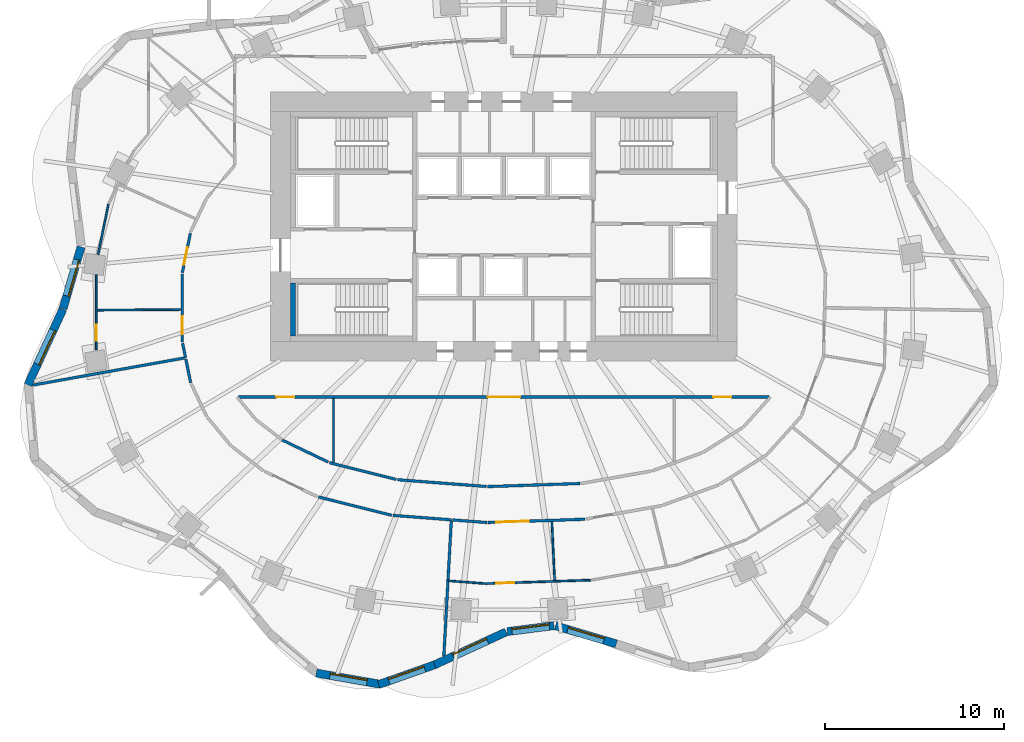
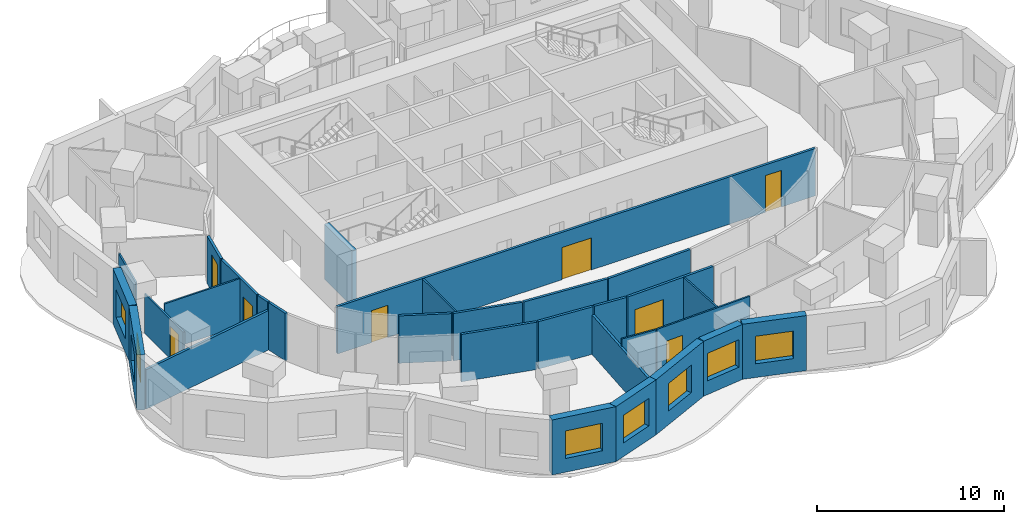
# One storey, part 5 of 11: 30 walls, 8 doors, 7 windows, 15 openings.
"""IFC4 building model written with IfcOpenShell, lengths in metres."""

from ifc_helpers import new_model, si_unit, direction, frame, frame_2d, origin, place, context, subcontext, project, spatial, rectangle, extrude, material, layer, layer_set, type_object, element, fill, save


model = new_model("IFC4")

# Units and contexts
model_context = context("Model", 3, precision=1e-05, world=origin(), true_north=direction((0.0, 1.0)))
body_context = subcontext(model_context, "Body", "Model", "MODEL_VIEW")
ifc_project = project(units=[si_unit("LENGTHUNIT", "METRE"), si_unit("AREAUNIT", "SQUARE_METRE"), si_unit("VOLUMEUNIT", "CUBIC_METRE"), si_unit("PLANEANGLEUNIT", "RADIAN"), si_unit("MASSUNIT", "GRAM", prefix="KILO")], contexts=[model_context])

# Site, building, storey
site_placement = place(None, origin())
site = spatial("IfcSite", under=ifc_project, at=site_placement, CompositionType="ELEMENT")
building_placement = place(site_placement, origin())
building = spatial("IfcBuilding", under=site, at=building_placement, Name="Rubra Terraces Tower", CompositionType="ELEMENT")
storey_placement = place(building_placement, frame((0.0, 0.0, 165.60009765625)))
storey = spatial("IfcBuildingStorey", under=building, at=storey_placement, Name="L40", CompositionType="ELEMENT", Elevation=165.60009765625)

# Wall, opening, window
ifc_material_1 = material(Name="Brick masonry red-brown", Category="masonry")
ifc_layer_1 = layer(ifc_material_1, 0.449951171875)
ifc_layer_set_1 = layer_set([ifc_layer_1], Name="Brick masonry red-brown")
wall_type_1 = type_object("IfcWallType", Name="Brick facade wall 450", PredefinedType="SOLIDWALL", material=ifc_layer_set_1)
wall_1_placement = place(storey_placement, frame((-23.565185546875, 3.363525390625, 0.0), z_axis=(0.0, 0.0, 1.0), x_axis=(-0.279148198653, -0.960248032119, 0.0)))
wall_1 = element("IfcWall", 1, at=wall_1_placement, inside=storey, type_object=wall_type_1, Name="Facade wall L40 bay 20", PredefinedType="SOLIDWALL", context=body_context, shape_type="SweptSolid", body=[
    extrude(rectangle(XDim=3.58837890625, YDim=0.449951171875, at=frame_2d((1.794189453125, 0.0))), origin(), (0.0, 0.0, 1.0), 3.599853515625),
])
opening_1_placement = place(wall_1_placement, frame((0.744140625, 0.0, 0.89990234375)))
opening_1 = element("IfcOpeningElement", 2, at=opening_1_placement, cuts=wall_1, Name="Opening W1Z", PredefinedType="OPENING", context=body_context, shape_type="SweptSolid", body=[
    extrude(rectangle(XDim=2.10009765625, YDim=1.800048828125, at=frame_2d((1.050048828125, 0.89990234375))), frame((0.0, 0.23486328125, 0.0), z_axis=(0.0, -1.0, 0.0), x_axis=(1.0, 0.0, 0.0)), (0.0, 0.0, 1.0), 0.469970703125),
])
ifc_material_2 = material(Name="Clear glass in aluminium frame", Category="aluminium")
window_type = type_object("IfcWindowType", Name="Fixed deep-set window under transfer level 2100 x 1800", PartitioningType="SINGLE_PANEL", PredefinedType="WINDOW", material=ifc_material_2)
window_1_placement = place(opening_1_placement, origin())
window_1 = element("IfcWindow", 3, at=window_1_placement, inside=storey, type_object=window_type, Name="Window L40 bay 20", OverallHeight=1.800048828125, OverallWidth=2.10009765625, PartitioningType="SINGLE_PANEL", PredefinedType="WINDOW", context=body_context, shape_type="SweptSolid", body=[
    extrude(rectangle(XDim=2.10009765625, YDim=1.800048828125, at=frame_2d((1.050048828125, 0.89990234375))), frame((0.0, 0.135009765625, 0.0), z_axis=(0.0, -1.0, 0.0), x_axis=(1.0, 0.0, 0.0)), (0.0, 0.0, 1.0), 0.06005859375),
])
fill(opening_1, window_1)

wall_2_placement = place(storey_placement, frame((-24.57861328125, -0.115478515625, 0.0), z_axis=(0.0, 0.0, 1.0), x_axis=(-0.419535648317, -0.907738861012, 0.0)))
wall_2 = element("IfcWall", 4, at=wall_2_placement, inside=storey, type_object=wall_type_1, Name="Facade wall L40 bay 21", PredefinedType="SOLIDWALL", context=body_context, shape_type="SweptSolid", body=[
    extrude(rectangle(XDim=4.63623046875, YDim=0.449951171875, at=frame_2d((2.318115234375, 0.0))), origin(), (0.0, 0.0, 1.0), 3.599853515625),
])
opening_2_placement = place(wall_2_placement, frame((1.26806640625, 0.0, 0.89990234375)))
opening_2 = element("IfcOpeningElement", 5, at=opening_2_placement, cuts=wall_2, Name="Opening W1Z", PredefinedType="OPENING", context=body_context, shape_type="SweptSolid", body=[
    extrude(rectangle(XDim=2.10009765625, YDim=1.800048828125, at=frame_2d((1.050048828125, 0.89990234375))), frame((0.0, 0.23486328125, 0.0), z_axis=(0.0, -1.0, 0.0), x_axis=(1.0, 0.0, 0.0)), (0.0, 0.0, 1.0), 0.469970703125),
])
window_2_placement = place(opening_2_placement, origin())
window_2 = element("IfcWindow", 6, at=window_2_placement, inside=storey, type_object=window_type, Name="Window L40 bay 21", OverallHeight=1.800048828125, OverallWidth=2.10009765625, PartitioningType="SINGLE_PANEL", PredefinedType="WINDOW", context=body_context, shape_type="SweptSolid", body=[
    extrude(rectangle(XDim=2.10009765625, YDim=1.800048828125, at=frame_2d((1.050048828125, 0.89990234375))), frame((0.0, 0.135009765625, 0.0), z_axis=(0.0, -1.0, 0.0), x_axis=(1.0, 0.0, 0.0)), (0.0, 0.0, 1.0), 0.06005859375),
])
fill(opening_2, window_2)

wall_3_placement = place(storey_placement, frame((-10.459228515625, -20.38134765625, 0.0), z_axis=(0.0, 0.0, 1.0), x_axis=(0.985017416972, -0.172454887614, 0.0)))
wall_3 = element("IfcWall", 7, at=wall_3_placement, inside=storey, type_object=wall_type_1, Name="Facade wall L40 bay 28", PredefinedType="SOLIDWALL", context=body_context, shape_type="SweptSolid", body=[
    extrude(rectangle(XDim=3.65380859375, YDim=0.449951171875, at=frame_2d((1.826904296875, 0.0))), origin(), (0.0, 0.0, 1.0), 3.599853515625),
])
opening_3_placement = place(wall_3_placement, frame((0.77685546875, 0.0, 0.89990234375)))
opening_3 = element("IfcOpeningElement", 8, at=opening_3_placement, cuts=wall_3, Name="Opening W1Z", PredefinedType="OPENING", context=body_context, shape_type="SweptSolid", body=[
    extrude(rectangle(XDim=2.10009765625, YDim=1.800048828125, at=frame_2d((1.050048828125, 0.89990234375))), frame((0.0, 0.23486328125, 0.0), z_axis=(0.0, -1.0, 0.0), x_axis=(1.0, 0.0, 0.0)), (0.0, 0.0, 1.0), 0.469970703125),
])
window_3_placement = place(opening_3_placement, origin())
window_3 = element("IfcWindow", 9, at=window_3_placement, inside=storey, type_object=window_type, Name="Window L40 bay 28", OverallHeight=1.800048828125, OverallWidth=2.10009765625, PartitioningType="SINGLE_PANEL", PredefinedType="WINDOW", context=body_context, shape_type="SweptSolid", body=[
    extrude(rectangle(XDim=2.10009765625, YDim=1.800048828125, at=frame_2d((1.050048828125, 0.89990234375))), frame((0.0, 0.135009765625, 0.0), z_axis=(0.0, -1.0, 0.0), x_axis=(1.0, 0.0, 0.0)), (0.0, 0.0, 1.0), 0.06005859375),
])
fill(opening_3, window_3)

wall_4_placement = place(storey_placement, frame((-6.973876953125, -21.020751953125, 0.0), z_axis=(0.0, 0.0, 1.0), x_axis=(0.94304763908, 0.3326577076, 0.0)))
wall_4 = element("IfcWall", 10, at=wall_4_placement, inside=storey, type_object=wall_type_1, Name="Facade wall L40 bay 29", PredefinedType="SOLIDWALL", context=body_context, shape_type="SweptSolid", body=[
    extrude(rectangle(XDim=3.302490234375, YDim=0.449951171875, at=frame_2d((1.6513671875, 0.0))), origin(), (0.0, 0.0, 1.0), 3.599853515625),
])
opening_4_placement = place(wall_4_placement, frame((0.601318359375, 0.0, 0.89990234375)))
opening_4 = element("IfcOpeningElement", 11, at=opening_4_placement, cuts=wall_4, Name="Opening W1Z", PredefinedType="OPENING", context=body_context, shape_type="SweptSolid", body=[
    extrude(rectangle(XDim=2.10009765625, YDim=1.800048828125, at=frame_2d((1.050048828125, 0.89990234375))), frame((0.0, 0.23486328125, 0.0), z_axis=(0.0, -1.0, 0.0), x_axis=(1.0, 0.0, 0.0)), (0.0, 0.0, 1.0), 0.469970703125),
])
window_4_placement = place(opening_4_placement, origin())
window_4 = element("IfcWindow", 12, at=window_4_placement, inside=storey, type_object=window_type, Name="Window L40 bay 29", OverallHeight=1.800048828125, OverallWidth=2.10009765625, PartitioningType="SINGLE_PANEL", PredefinedType="WINDOW", context=body_context, shape_type="SweptSolid", body=[
    extrude(rectangle(XDim=2.10009765625, YDim=1.800048828125, at=frame_2d((1.050048828125, 0.89990234375))), frame((0.0, 0.135009765625, 0.0), z_axis=(0.0, -1.0, 0.0), x_axis=(1.0, 0.0, 0.0)), (0.0, 0.0, 1.0), 0.06005859375),
])
fill(opening_4, window_4)

wall_5_placement = place(storey_placement, frame((-3.87841796875, -19.929931640625, 0.0), z_axis=(0.0, 0.0, 1.0), x_axis=(0.908679684485, 0.417493989183, 0.0)))
wall_5 = element("IfcWall", 13, at=wall_5_placement, inside=storey, type_object=wall_type_1, Name="Facade wall L40 bay 30", PredefinedType="SOLIDWALL", context=body_context, shape_type="SweptSolid", body=[
    extrude(rectangle(XDim=4.40625, YDim=0.449951171875, at=frame_2d((2.203125, 0.0))), origin(), (0.0, 0.0, 1.0), 3.599853515625),
])
opening_5_placement = place(wall_5_placement, frame((1.1533203125, 0.0, 0.89990234375)))
opening_5 = element("IfcOpeningElement", 14, at=opening_5_placement, cuts=wall_5, Name="Opening W1Z", PredefinedType="OPENING", context=body_context, shape_type="SweptSolid", body=[
    extrude(rectangle(XDim=2.10009765625, YDim=1.800048828125, at=frame_2d((1.050048828125, 0.89990234375))), frame((0.0, 0.23486328125, 0.0), z_axis=(0.0, -1.0, 0.0), x_axis=(1.0, 0.0, 0.0)), (0.0, 0.0, 1.0), 0.469970703125),
])
window_5_placement = place(opening_5_placement, origin())
window_5 = element("IfcWindow", 15, at=window_5_placement, inside=storey, type_object=window_type, Name="Window L40 bay 30", OverallHeight=1.800048828125, OverallWidth=2.10009765625, PartitioningType="SINGLE_PANEL", PredefinedType="WINDOW", context=body_context, shape_type="SweptSolid", body=[
    extrude(rectangle(XDim=2.10009765625, YDim=1.800048828125, at=frame_2d((1.050048828125, 0.89990234375))), frame((0.0, 0.135009765625, 0.0), z_axis=(0.0, -1.0, 0.0), x_axis=(1.0, 0.0, 0.0)), (0.0, 0.0, 1.0), 0.06005859375),
])
fill(opening_5, window_5)

wall_6_placement = place(storey_placement, frame((0.191162109375, -18.07177734375, 0.0), z_axis=(0.0, 0.0, 1.0), x_axis=(0.992071255417, 0.125676665198, 0.0)))
wall_6 = element("IfcWall", 16, at=wall_6_placement, inside=storey, type_object=wall_type_1, Name="Facade wall L40 bay 31", PredefinedType="SOLIDWALL", context=body_context, shape_type="SweptSolid", body=[
    extrude(rectangle(XDim=2.61669921875, YDim=0.449951171875, at=frame_2d((1.308349609375, 0.0))), origin(), (0.0, 0.0, 1.0), 3.599853515625),
])
opening_6_placement = place(wall_6_placement, frame((0.25830078125, 0.0, 0.89990234375)))
opening_6 = element("IfcOpeningElement", 17, at=opening_6_placement, cuts=wall_6, Name="Opening W1Z", PredefinedType="OPENING", context=body_context, shape_type="SweptSolid", body=[
    extrude(rectangle(XDim=2.10009765625, YDim=1.800048828125, at=frame_2d((1.050048828125, 0.89990234375))), frame((0.0, 0.23486328125, 0.0), z_axis=(0.0, -1.0, 0.0), x_axis=(1.0, 0.0, 0.0)), (0.0, 0.0, 1.0), 0.469970703125),
])
window_6_placement = place(opening_6_placement, origin())
window_6 = element("IfcWindow", 18, at=window_6_placement, inside=storey, type_object=window_type, Name="Window L40 bay 31", OverallHeight=1.800048828125, OverallWidth=2.10009765625, PartitioningType="SINGLE_PANEL", PredefinedType="WINDOW", context=body_context, shape_type="SweptSolid", body=[
    extrude(rectangle(XDim=2.10009765625, YDim=1.800048828125, at=frame_2d((1.050048828125, 0.89990234375))), frame((0.0, 0.135009765625, 0.0), z_axis=(0.0, -1.0, 0.0), x_axis=(1.0, 0.0, 0.0)), (0.0, 0.0, 1.0), 0.06005859375),
])
fill(opening_6, window_6)

wall_7_placement = place(storey_placement, frame((2.876220703125, -17.74951171875, 0.0), z_axis=(0.0, 0.0, 1.0), x_axis=(0.958397358603, -0.28543738897, 0.0)))
wall_7 = element("IfcWall", 19, at=wall_7_placement, inside=storey, type_object=wall_type_1, Name="Facade wall L40 bay 32", PredefinedType="SOLIDWALL", context=body_context, shape_type="SweptSolid", body=[
    extrude(rectangle(XDim=3.530029296875, YDim=0.449951171875, at=frame_2d((1.76513671875, 0.0))), origin(), (0.0, 0.0, 1.0), 3.599853515625),
])
opening_7_placement = place(wall_7_placement, frame((0.715087890625, 0.0, 0.89990234375)))
opening_7 = element("IfcOpeningElement", 20, at=opening_7_placement, cuts=wall_7, Name="Opening W1Z", PredefinedType="OPENING", context=body_context, shape_type="SweptSolid", body=[
    extrude(rectangle(XDim=2.10009765625, YDim=1.800048828125, at=frame_2d((1.050048828125, 0.89990234375))), frame((0.0, 0.23486328125, 0.0), z_axis=(0.0, -1.0, 0.0), x_axis=(1.0, 0.0, 0.0)), (0.0, 0.0, 1.0), 0.469970703125),
])
window_7_placement = place(opening_7_placement, origin())
window_7 = element("IfcWindow", 21, at=window_7_placement, inside=storey, type_object=window_type, Name="Window L40 bay 32", OverallHeight=1.800048828125, OverallWidth=2.10009765625, PartitioningType="SINGLE_PANEL", PredefinedType="WINDOW", context=body_context, shape_type="SweptSolid", body=[
    extrude(rectangle(XDim=2.10009765625, YDim=1.800048828125, at=frame_2d((1.050048828125, 0.89990234375))), frame((0.0, 0.135009765625, 0.0), z_axis=(0.0, -1.0, 0.0), x_axis=(1.0, 0.0, 0.0)), (0.0, 0.0, 1.0), 0.06005859375),
])
fill(opening_7, window_7)

# Wall, opening, door
ifc_material_3 = material(Name="Plasterboard on steel stud, mineral wool infill", Category="steel")
ifc_layer_2 = layer(ifc_material_3, 0.14990234375)
ifc_layer_set_2 = layer_set([ifc_layer_2], Name="Plasterboard on steel stud, mineral wool infill")
wall_type_2 = type_object("IfcWallType", Name="CORRIDOR PARTITION 150", PredefinedType="PARTITIONING", material=ifc_layer_set_2)
wall_8_placement = place(storey_placement, frame((-17.472412109375, 4.1279296875, 0.0), z_axis=(0.0, 0.0, 1.0), x_axis=(-0.199502025364, -0.979897413955, 0.0)))
wall_8 = element("IfcWall", 22, at=wall_8_placement, inside=storey, type_object=wall_type_2, Name="PARTITION", PredefinedType="PARTITIONING", context=body_context, shape_type="SweptSolid", body=[
    extrude(rectangle(XDim=2.24560546875, YDim=0.14990234375, at=frame_2d((1.122802734375, 0.0))), origin(), (0.0, 0.0, 1.0), 3.097900390625),
])
opening_8_placement = place(wall_8_placement, frame((0.800048828125, 0.0, 0.0)))
opening_8 = element("IfcOpeningElement", 23, at=opening_8_placement, cuts=wall_8, Name="Opening 40-107", PredefinedType="OPENING", context=body_context, shape_type="SweptSolid", body=[
    extrude(rectangle(XDim=1.0, YDim=2.39990234375, at=frame_2d((0.5, 1.199951171875))), frame((0.0, 0.0849609375, 0.0), z_axis=(0.0, -1.0, 0.0), x_axis=(1.0, 0.0, 0.0)), (0.0, 0.0, 1.0), 0.169921875),
])
ifc_material_4 = material(Name="Glazed aluminium meeting door leaf", Category="aluminium")
door_type_1 = type_object("IfcDoorType", Name="MEETING ROOM GLAZED DOOR 1000 X 2400", OperationType="SINGLE_SWING_LEFT", PredefinedType="DOOR", material=ifc_material_4)
door_1_placement = place(opening_8_placement, origin())
door_1 = element("IfcDoor", 24, at=door_1_placement, inside=storey, type_object=door_type_1, Name="DOOR 40-107", OperationType="SINGLE_SWING_RIGHT", OverallHeight=2.39990234375, OverallWidth=1.0, PredefinedType="DOOR", context=body_context, shape_type="SweptSolid", body=[
    extrude(rectangle(XDim=1.0, YDim=2.39990234375, at=frame_2d((0.5, 1.199951171875))), frame((0.0, 0.02490234375, 0.0), z_axis=(0.0, -1.0, 0.0), x_axis=(1.0, 0.0, 0.0)), (0.0, 0.0, 1.0), 0.050048828125),
])
fill(opening_8, door_1)

wall_9_placement = place(storey_placement, frame((-17.92041015625, 1.8525390625, 0.0), z_axis=(0.0, 0.0, 1.0), x_axis=(0.0, -1.0, 0.0)))
wall_9 = element("IfcWall", 25, at=wall_9_placement, inside=storey, type_object=wall_type_2, Name="PARTITION", PredefinedType="PARTITIONING", context=body_context, shape_type="SweptSolid", body=[
    extrude(rectangle(XDim=3.780029296875, YDim=0.14990234375, at=frame_2d((1.89013671875, 0.0))), origin(), (0.0, 0.0, 1.0), 3.097900390625),
])
opening_9_placement = place(wall_9_placement, frame((2.35009765625, 0.0, 0.0)))
opening_9 = element("IfcOpeningElement", 26, at=opening_9_placement, cuts=wall_9, Name="Opening 40-123", PredefinedType="OPENING", context=body_context, shape_type="SweptSolid", body=[
    extrude(rectangle(XDim=1.0, YDim=2.10009765625, at=frame_2d((0.5, 1.050048828125))), frame((0.0, 0.0849609375, 0.0), z_axis=(0.0, -1.0, 0.0), x_axis=(1.0, 0.0, 0.0)), (0.0, 0.0, 1.0), 0.169921875),
])
ifc_material_5 = material(Name="Painted timber door leaf", Category="wood")
door_type_2 = type_object("IfcDoorType", Name="ROOM DOOR 1000 X 2100", OperationType="SINGLE_SWING_LEFT", PredefinedType="DOOR", material=ifc_material_5)
door_2_placement = place(opening_9_placement, origin())
door_2 = element("IfcDoor", 27, at=door_2_placement, inside=storey, type_object=door_type_2, Name="DOOR 40-123", OperationType="SINGLE_SWING_RIGHT", OverallHeight=2.10009765625, OverallWidth=1.0, PredefinedType="DOOR", context=body_context, shape_type="SweptSolid", body=[
    extrude(rectangle(XDim=1.0, YDim=2.10009765625, at=frame_2d((0.5, 1.050048828125))), frame((0.0, 0.02490234375, 0.0), z_axis=(0.0, -1.0, 0.0), x_axis=(1.0, 0.0, 0.0)), (0.0, 0.0, 1.0), 0.050048828125),
])
fill(opening_9, door_2)

# Walls
wall_10_placement = place(storey_placement, frame((-17.905517578125, -2.0009765625, 0.0), z_axis=(0.0, 0.0, 1.0), x_axis=(0.199625422988, -0.979872282748, 0.0)))
element("IfcWall", 28, at=wall_10_placement, inside=storey, type_object=wall_type_2, Name="PARTITION", PredefinedType="PARTITIONING", context=body_context, shape_type="SweptSolid", body=[
    extrude(rectangle(XDim=0.8291015625, YDim=0.14990234375, at=frame_2d((0.41455078125, 0.0))), origin(), (0.0, 0.0, 1.0), 3.097900390625),
])
wall_11_placement = place(storey_placement, frame((-17.72509765625, -2.886962890625, 0.0), z_axis=(0.0, 0.0, 1.0), x_axis=(0.199475034903, -0.979902908686, 0.0)))
element("IfcWall", 29, at=wall_11_placement, inside=storey, type_object=wall_type_2, Name="PARTITION", PredefinedType="PARTITIONING", context=body_context, shape_type="SweptSolid", body=[
    extrude(rectangle(XDim=1.34130859375, YDim=0.14990234375, at=frame_2d((0.670654296875, 0.0))), origin(), (0.0, 0.0, 1.0), 3.097900390625),
])
wall_12_placement = place(storey_placement, frame((-10.332763671875, -10.568603515625, 0.0), z_axis=(0.0, 0.0, 1.0), x_axis=(0.970067398009, -0.242835836151, 0.0)))
element("IfcWall", 30, at=wall_12_placement, inside=storey, type_object=wall_type_2, Name="PARTITION", PredefinedType="PARTITIONING", context=body_context, shape_type="SweptSolid", body=[
    extrude(rectangle(XDim=4.20947265625, YDim=0.14990234375, at=frame_2d((2.104736328125, 0.0))), origin(), (0.0, 0.0, 1.0), 3.097900390625),
])
wall_13_placement = place(storey_placement, frame((-6.174560546875, -11.596435546875, 0.0), z_axis=(0.0, 0.0, 1.0), x_axis=(0.997097132815, -0.076140053401, 0.0)))
element("IfcWall", 31, at=wall_13_placement, inside=storey, type_object=wall_type_2, Name="PARTITION", PredefinedType="PARTITIONING", context=body_context, shape_type="SweptSolid", body=[
    extrude(rectangle(XDim=3.254638671875, YDim=0.14990234375, at=frame_2d((1.62744140625, 0.0))), origin(), (0.0, 0.0, 1.0), 3.097900390625),
])
wall_14_placement = place(storey_placement, frame((-2.854736328125, -11.849853515625, 0.0), z_axis=(0.0, 0.0, 1.0), x_axis=(0.997093457628, -0.076188166762, 0.0)))
element("IfcWall", 32, at=wall_14_placement, inside=storey, type_object=wall_type_2, Name="PARTITION", PredefinedType="PARTITIONING", context=body_context, shape_type="SweptSolid", body=[
    extrude(rectangle(XDim=1.909912109375, YDim=0.14990234375, at=frame_2d((0.955078125, 0.0))), origin(), (0.0, 0.0, 1.0), 3.097900390625),
])

# Wall, opening, door
wall_15_placement = place(storey_placement, frame((-0.87548828125, -11.992919921875, 0.0), z_axis=(0.0, 0.0, 1.0), x_axis=(0.999436745295, 0.033558786542, 0.0)))
wall_15 = element("IfcWall", 33, at=wall_15_placement, inside=storey, type_object=wall_type_2, Name="PARTITION", PredefinedType="PARTITIONING", context=body_context, shape_type="SweptSolid", body=[
    extrude(rectangle(XDim=5.39794921875, YDim=0.14990234375, at=frame_2d((2.698974609375, 0.0))), origin(), (0.0, 0.0, 1.0), 3.097900390625),
])
opening_10_placement = place(wall_15_placement, frame((0.449951171875, 0.0, 0.0)))
opening_10 = element("IfcOpeningElement", 34, at=opening_10_placement, cuts=wall_15, Name="Opening 40-110", PredefinedType="OPENING", context=body_context, shape_type="SweptSolid", body=[
    extrude(rectangle(XDim=1.800048828125, YDim=2.10009765625, at=frame_2d((0.89990234375, 1.050048828125))), frame((0.0, 0.0849609375, 0.0), z_axis=(0.0, -1.0, 0.0), x_axis=(1.0, 0.0, 0.0)), (0.0, 0.0, 1.0), 0.169921875),
])
ifc_material_6 = material(Name="Painted timber door leaf, double", Category="wood")
door_type_3 = type_object("IfcDoorType", Name="ROOM DOUBLE DOOR 1800 X 2100", OperationType="DOUBLE_DOOR_SINGLE_SWING", PredefinedType="DOOR", material=ifc_material_6)
door_3_placement = place(opening_10_placement, origin())
door_3 = element("IfcDoor", 35, at=door_3_placement, inside=storey, type_object=door_type_3, Name="DOOR 40-110", OperationType="DOUBLE_DOOR_SINGLE_SWING", OverallHeight=2.10009765625, OverallWidth=1.800048828125, PredefinedType="DOOR", context=body_context, shape_type="SweptSolid", body=[
    extrude(rectangle(XDim=1.800048828125, YDim=2.10009765625, at=frame_2d((0.89990234375, 1.050048828125))), frame((0.0, 0.02490234375, 0.0), z_axis=(0.0, -1.0, 0.0), x_axis=(1.0, 0.0, 0.0)), (0.0, 0.0, 1.0), 0.050048828125),
])
fill(opening_10, door_3)

# Walls
wall_16_placement = place(storey_placement, frame((4.235595703125, -9.820068359375, 0.0), z_axis=(0.0, 0.0, 1.0), x_axis=(-0.999435760561, -0.033588100749, 0.0)))
element("IfcWall", 36, at=wall_16_placement, inside=storey, type_object=wall_type_2, Name="PARTITION", PredefinedType="PARTITIONING", context=body_context, shape_type="SweptSolid", body=[
    extrude(rectangle(XDim=5.146240234375, YDim=0.14990234375, at=frame_2d((2.5732421875, 0.0))), origin(), (0.0, 0.0, 1.0), 3.097900390625),
])
wall_17_placement = place(storey_placement, frame((-0.982421875, -9.987060546875, 0.0), z_axis=(0.0, 0.0, 1.0), x_axis=(-0.997096607341, 0.07614693447, 0.0)))
element("IfcWall", 37, at=wall_17_placement, inside=storey, type_object=wall_type_2, Name="PARTITION", PredefinedType="PARTITIONING", context=body_context, shape_type="SweptSolid", body=[
    extrude(rectangle(XDim=4.9599609375, YDim=0.14990234375, at=frame_2d((2.47998046875, 0.0))), origin(), (0.0, 0.0, 1.0), 3.097900390625),
])
wall_18_placement = place(storey_placement, frame((-6.000732421875, -9.59130859375, 0.0), z_axis=(0.0, 0.0, 1.0), x_axis=(-0.970063855769, 0.242849986061, 0.0)))
element("IfcWall", 38, at=wall_18_placement, inside=storey, type_object=wall_type_2, Name="PARTITION", PredefinedType="PARTITIONING", context=body_context, shape_type="SweptSolid", body=[
    extrude(rectangle(XDim=3.83740234375, YDim=0.14990234375, at=frame_2d((1.918701171875, 0.0))), origin(), (0.0, 0.0, 1.0), 3.097900390625),
])
wall_19_placement = place(storey_placement, frame((-9.790771484375, -8.626953125, 0.0), z_axis=(0.0, 0.0, 1.0), x_axis=(-0.901598165215, 0.432574558292, 0.0)))
element("IfcWall", 39, at=wall_19_placement, inside=storey, type_object=wall_type_2, Name="PARTITION", PredefinedType="PARTITIONING", context=body_context, shape_type="SweptSolid", body=[
    extrude(rectangle(XDim=2.840087890625, YDim=0.14990234375, at=frame_2d((1.419921875, 0.0))), origin(), (0.0, 0.0, 1.0), 3.097900390625),
])

# Wall, openings, doors
wall_20_placement = place(storey_placement, frame((-14.7890625, -5.0, 0.0), z_axis=(0.0, 0.0, 1.0), x_axis=(1.0, 0.0, 0.0)))
wall_20 = element("IfcWall", 40, at=wall_20_placement, inside=storey, type_object=wall_type_2, Name="PARTITION", PredefinedType="PARTITIONING", context=body_context, shape_type="SweptSolid", body=[
    extrude(rectangle(XDim=29.56201171875, YDim=0.14990234375, at=frame_2d((14.781005859375, 0.0))), origin(), (0.0, 0.0, 1.0), 3.097900390625),
])
opening_11_placement = place(wall_20_placement, frame((2.10693359375, 0.0, 0.0)))
opening_11 = element("IfcOpeningElement", 41, at=opening_11_placement, cuts=wall_20, Name="Opening 40-118", PredefinedType="OPENING", context=body_context, shape_type="SweptSolid", body=[
    extrude(rectangle(XDim=1.0, YDim=2.10009765625, at=frame_2d((0.5, 1.050048828125))), frame((0.0, 0.0849609375, 0.0), z_axis=(0.0, -1.0, 0.0), x_axis=(1.0, 0.0, 0.0)), (0.0, 0.0, 1.0), 0.169921875),
])
opening_12_placement = place(wall_20_placement, frame((13.888916015625, 0.0, 0.0)))
opening_12 = element("IfcOpeningElement", 42, at=opening_12_placement, cuts=wall_20, Name="Opening 40-119", PredefinedType="OPENING", context=body_context, shape_type="SweptSolid", body=[
    extrude(rectangle(XDim=1.800048828125, YDim=2.10009765625, at=frame_2d((0.89990234375, 1.050048828125))), frame((0.0, 0.0849609375, 0.0), z_axis=(0.0, -1.0, 0.0), x_axis=(1.0, 0.0, 0.0)), (0.0, 0.0, 1.0), 0.169921875),
])
opening_13_placement = place(wall_20_placement, frame((26.462890625, 0.0, 0.0)))
opening_13 = element("IfcOpeningElement", 43, at=opening_13_placement, cuts=wall_20, Name="Opening 40-120", PredefinedType="OPENING", context=body_context, shape_type="SweptSolid", body=[
    extrude(rectangle(XDim=1.0, YDim=2.39990234375, at=frame_2d((0.5, 1.199951171875))), frame((0.0, 0.0849609375, 0.0), z_axis=(0.0, -1.0, 0.0), x_axis=(1.0, 0.0, 0.0)), (0.0, 0.0, 1.0), 0.169921875),
])
door_4_placement = place(opening_13_placement, origin())
door_4 = element("IfcDoor", 44, at=door_4_placement, inside=storey, type_object=door_type_1, Name="DOOR 40-120", OperationType="SINGLE_SWING_RIGHT", OverallHeight=2.39990234375, OverallWidth=1.0, PredefinedType="DOOR", context=body_context, shape_type="SweptSolid", body=[
    extrude(rectangle(XDim=1.0, YDim=2.39990234375, at=frame_2d((0.5, 1.199951171875))), frame((0.0, 0.02490234375, 0.0), z_axis=(0.0, -1.0, 0.0), x_axis=(1.0, 0.0, 0.0)), (0.0, 0.0, 1.0), 0.050048828125),
])
fill(opening_13, door_4)
door_5_placement = place(opening_11_placement, origin())
door_5 = element("IfcDoor", 45, at=door_5_placement, inside=storey, type_object=door_type_2, Name="DOOR 40-118", OperationType="SINGLE_SWING_RIGHT", OverallHeight=2.10009765625, OverallWidth=1.0, PredefinedType="DOOR", context=body_context, shape_type="SweptSolid", body=[
    extrude(rectangle(XDim=1.0, YDim=2.10009765625, at=frame_2d((0.5, 1.050048828125))), frame((0.0, 0.02490234375, 0.0), z_axis=(0.0, -1.0, 0.0), x_axis=(1.0, 0.0, 0.0)), (0.0, 0.0, 1.0), 0.050048828125),
])
fill(opening_11, door_5)
door_6_placement = place(opening_12_placement, origin())
door_6 = element("IfcDoor", 46, at=door_6_placement, inside=storey, type_object=door_type_3, Name="DOOR 40-119", OperationType="DOUBLE_DOOR_SINGLE_SWING", OverallHeight=2.10009765625, OverallWidth=1.800048828125, PredefinedType="DOOR", context=body_context, shape_type="SweptSolid", body=[
    extrude(rectangle(XDim=1.800048828125, YDim=2.10009765625, at=frame_2d((0.89990234375, 1.050048828125))), frame((0.0, 0.02490234375, 0.0), z_axis=(0.0, -1.0, 0.0), x_axis=(1.0, 0.0, 0.0)), (0.0, 0.0, 1.0), 0.050048828125),
])
fill(opening_12, door_6)

# Walls
ifc_material_7 = material(Name="Concrete C40", Category="concrete")
ifc_layer_3 = layer(ifc_material_7, 0.300048828125)
ifc_layer_set_3 = layer_set([ifc_layer_3], Name="Concrete C40")
wall_type_3 = type_object("IfcWallType", Name="Core lining wall 300 concrete", PredefinedType="SOLIDWALL", material=ifc_layer_set_3)
wall_21_placement = place(storey_placement, frame((-11.75, -1.60009765625, 0.0), z_axis=(0.0, 0.0, 1.0), x_axis=(0.0, 1.0, 0.0)))
element("IfcWall", 47, at=wall_21_placement, inside=storey, type_object=wall_type_3, Name="CORE LINING WALL L40", PredefinedType="SOLIDWALL", context=body_context, shape_type="SweptSolid", body=[
    extrude(rectangle(XDim=2.9501953125, YDim=0.300048828125, at=frame_2d((1.47509765625, 0.0))), origin(), (0.0, 0.0, 1.0), 3.599853515625),
])
ifc_material_8 = material(Name="Plasterboard on steel stud", Category="steel")
ifc_layer_4 = layer(ifc_material_8, 0.10009765625)
ifc_layer_set_4 = layer_set([ifc_layer_4], Name="Plasterboard on steel stud")
wall_type_4 = type_object("IfcWallType", Name="ROOM PARTITION 100", PredefinedType="PARTITIONING", material=ifc_layer_set_4)
wall_22_placement = place(storey_placement, frame((-17.995361328125, -0.12841796875, 0.0), z_axis=(0.0, 0.0, 1.0), x_axis=(-0.999978007686, -0.006632054257, 0.0)))
element("IfcWall", 48, at=wall_22_placement, inside=storey, type_object=wall_type_4, Name="PARTITION", PredefinedType="PARTITIONING", context=body_context, shape_type="SweptSolid", body=[
    extrude(rectangle(XDim=4.675048828125, YDim=0.10009765625, at=frame_2d((2.33740234375, 0.0))), origin(), (0.0, 0.0, 1.0), 3.083984375),
])

# Wall, opening, door
wall_23_placement = place(storey_placement, frame((4.82470703125, -15.203369140625, 0.0), z_axis=(0.0, 0.0, 1.0), x_axis=(-0.999435699456, -0.033589918924, 0.0)))
wall_23 = element("IfcWall", 49, at=wall_23_placement, inside=storey, type_object=wall_type_4, Name="PARTITION", PredefinedType="PARTITIONING", context=body_context, shape_type="SweptSolid", body=[
    extrude(rectangle(XDim=5.85107421875, YDim=0.10009765625, at=frame_2d((2.925537109375, 0.0))), origin(), (0.0, 0.0, 1.0), 3.083984375),
])
opening_14_placement = place(wall_23_placement, frame((4.2470703125, 0.0, 0.0)))
opening_14 = element("IfcOpeningElement", 50, at=opening_14_placement, cuts=wall_23, Name="Opening 40-111", PredefinedType="OPENING", context=body_context, shape_type="SweptSolid", body=[
    extrude(rectangle(XDim=1.0, YDim=2.10009765625, at=frame_2d((0.5, 1.050048828125))), frame((0.0, 0.06005859375, 0.0), z_axis=(0.0, -1.0, 0.0), x_axis=(1.0, 0.0, 0.0)), (0.0, 0.0, 1.0), 0.1201171875),
])
door_7_placement = place(opening_14_placement, origin())
door_7 = element("IfcDoor", 51, at=door_7_placement, inside=storey, type_object=door_type_2, Name="DOOR 40-111", OperationType="SINGLE_SWING_RIGHT", OverallHeight=2.10009765625, OverallWidth=1.0, PredefinedType="DOOR", context=body_context, shape_type="SweptSolid", body=[
    extrude(rectangle(XDim=1.0, YDim=2.10009765625, at=frame_2d((0.5, 1.050048828125))), frame((0.0, 0.02490234375, 0.0), z_axis=(0.0, -1.0, 0.0), x_axis=(1.0, 0.0, 0.0)), (0.0, 0.0, 1.0), 0.050048828125),
])
fill(opening_14, door_7)

# Walls
wall_24_placement = place(storey_placement, frame((-1.072998046875, -15.39599609375, 0.0), z_axis=(0.0, 0.0, 1.0), x_axis=(-0.997095393186, 0.076162831409, 0.0)))
element("IfcWall", 52, at=wall_24_placement, inside=storey, type_object=wall_type_4, Name="PARTITION", PredefinedType="PARTITIONING", context=body_context, shape_type="SweptSolid", body=[
    extrude(rectangle(XDim=2.029052734375, YDim=0.10009765625, at=frame_2d((1.0146484375, 0.0))), origin(), (0.0, 0.0, 1.0), 3.083984375),
])
wall_25_placement = place(storey_placement, frame((2.67236328125, -11.94873046875, 0.0), z_axis=(0.0, 0.0, 1.0), x_axis=(0.047182673952, -0.99888627745, 0.0)))
element("IfcWall", 53, at=wall_25_placement, inside=storey, type_object=wall_type_4, Name="PARTITION", PredefinedType="PARTITIONING", context=body_context, shape_type="SweptSolid", body=[
    extrude(rectangle(XDim=3.275390625, YDim=0.10009765625, at=frame_2d((1.6376953125, 0.0))), origin(), (0.0, 0.0, 1.0), 3.083984375),
])
wall_26_placement = place(storey_placement, frame((-9.5, -8.64013671875, 0.0), z_axis=(0.0, 0.0, 1.0), x_axis=(0.0, 1.0, 0.0)))
element("IfcWall", 54, at=wall_26_placement, inside=storey, type_object=wall_type_4, Name="PARTITION", PredefinedType="PARTITIONING", context=body_context, shape_type="SweptSolid", body=[
    extrude(rectangle(XDim=3.565185546875, YDim=0.10009765625, at=frame_2d((1.78271484375, 0.0))), origin(), (0.0, 0.0, 1.0), 3.083984375),
])

# Wall, opening, door
ifc_layer_5 = layer(ifc_material_8, 0.10009765625)
ifc_layer_set_5 = layer_set([ifc_layer_5], Name="Plasterboard on steel stud")
wall_type_5 = type_object("IfcWallType", Name="ROOM PARTITION 100 LOW HEAD", PredefinedType="PARTITIONING", material=ifc_layer_set_5)
wall_27_placement = place(storey_placement, frame((-22.720458984375, -2.361083984375, 0.0), z_axis=(0.0, 0.0, 1.0), x_axis=(0.0, 1.0, 0.0)))
wall_27 = element("IfcWall", 55, at=wall_27_placement, inside=storey, type_object=wall_type_5, Name="PARTITION", PredefinedType="PARTITIONING", context=body_context, shape_type="SweptSolid", body=[
    extrude(rectangle(XDim=4.164794921875, YDim=0.10009765625, at=frame_2d((2.08251953125, 0.0))), origin(), (0.0, 0.0, 1.0), 2.579833984375),
])
opening_15_placement = place(wall_27_placement, frame((0.5, 0.0, 0.0)))
opening_15 = element("IfcOpeningElement", 56, at=opening_15_placement, cuts=wall_27, Name="Opening 40-108", PredefinedType="OPENING", context=body_context, shape_type="SweptSolid", body=[
    extrude(rectangle(XDim=0.89990234375, YDim=2.10009765625, at=frame_2d((0.449951171875, 1.050048828125))), frame((0.0, 0.06005859375, 0.0), z_axis=(0.0, -1.0, 0.0), x_axis=(1.0, 0.0, 0.0)), (0.0, 0.0, 1.0), 0.1201171875),
])
door_type_4 = type_object("IfcDoorType", Name="ROOM DOOR 900 X 2100", OperationType="SINGLE_SWING_LEFT", PredefinedType="DOOR", material=ifc_material_5)
door_8_placement = place(opening_15_placement, origin())
door_8 = element("IfcDoor", 57, at=door_8_placement, inside=storey, type_object=door_type_4, Name="DOOR 40-108", OperationType="SINGLE_SWING_LEFT", OverallHeight=2.10009765625, OverallWidth=0.89990234375, PredefinedType="DOOR", context=body_context, shape_type="SweptSolid", body=[
    extrude(rectangle(XDim=0.89990234375, YDim=2.10009765625, at=frame_2d((0.449951171875, 1.050048828125))), frame((0.0, 0.02490234375, 0.0), z_axis=(0.0, -1.0, 0.0), x_axis=(1.0, 0.0, 0.0)), (0.0, 0.0, 1.0), 0.050048828125),
])
fill(opening_15, door_8)

# Walls
wall_28_placement = place(storey_placement, frame((-22.61279296875, 2.939208984375, 0.0), z_axis=(0.0, 0.0, 1.0), x_axis=(0.19944591803, 0.979908835444, 0.0)))
element("IfcWall", 58, at=wall_28_placement, inside=storey, type_object=wall_type_5, Name="PARTITION", PredefinedType="PARTITIONING", context=body_context, shape_type="SweptSolid", body=[
    extrude(rectangle(XDim=2.84716796875, YDim=0.10009765625, at=frame_2d((1.423583984375, 0.0))), origin(), (0.0, 0.0, 1.0), 2.579833984375),
])
ifc_layer_6 = layer(ifc_material_8, 0.14990234375)
ifc_layer_set_6 = layer_set([ifc_layer_6], Name="Plasterboard on steel stud")
wall_type_6 = type_object("IfcWallType", Name="ROOM PARTITION 150 LOW HEAD", PredefinedType="PARTITIONING", material=ifc_layer_set_6)
wall_29_placement = place(storey_placement, frame((-26.265625, -4.33935546875, 0.0), z_axis=(0.0, 0.0, 1.0), x_axis=(0.98435755278, 0.176182315472, 0.0)))
element("IfcWall", 59, at=wall_29_placement, inside=storey, type_object=wall_type_6, Name="PARTITION", PredefinedType="PARTITIONING", context=body_context, shape_type="SweptSolid", body=[
    extrude(rectangle(XDim=8.5859375, YDim=0.14990234375, at=frame_2d((4.29296875, 0.0))), origin(), (0.0, 0.0, 1.0), 2.579833984375),
])
wall_30_placement = place(storey_placement, frame((-3.3466796875, -19.43359375, 0.0), z_axis=(0.0, 0.0, 1.0), x_axis=(0.054889671014, 0.998492425618, 0.0)))
element("IfcWall", 60, at=wall_30_placement, inside=storey, type_object=wall_type_6, Name="PARTITION", PredefinedType="PARTITIONING", context=body_context, shape_type="SweptSolid", body=[
    extrude(rectangle(XDim=7.525634765625, YDim=0.14990234375, at=frame_2d((3.7626953125, 0.0))), origin(), (0.0, 0.0, 1.0), 2.579833984375),
])

save(model, "model.ifc")
